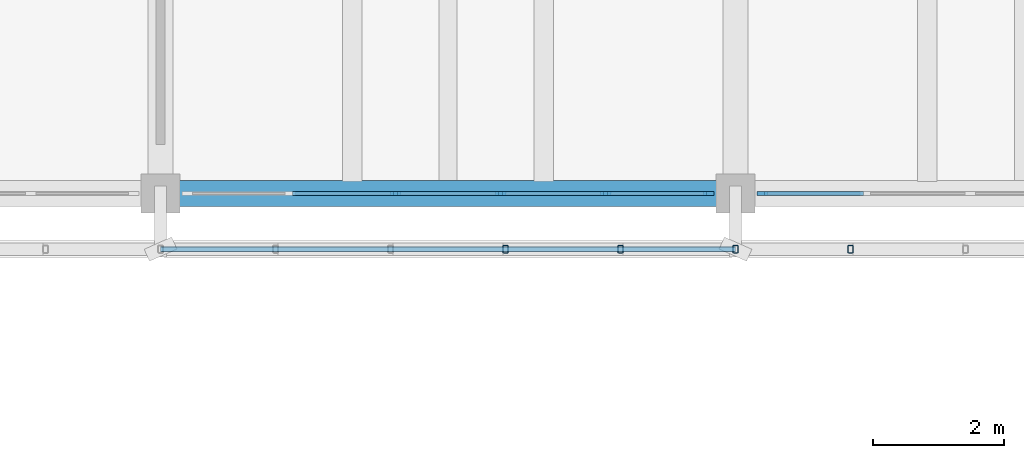
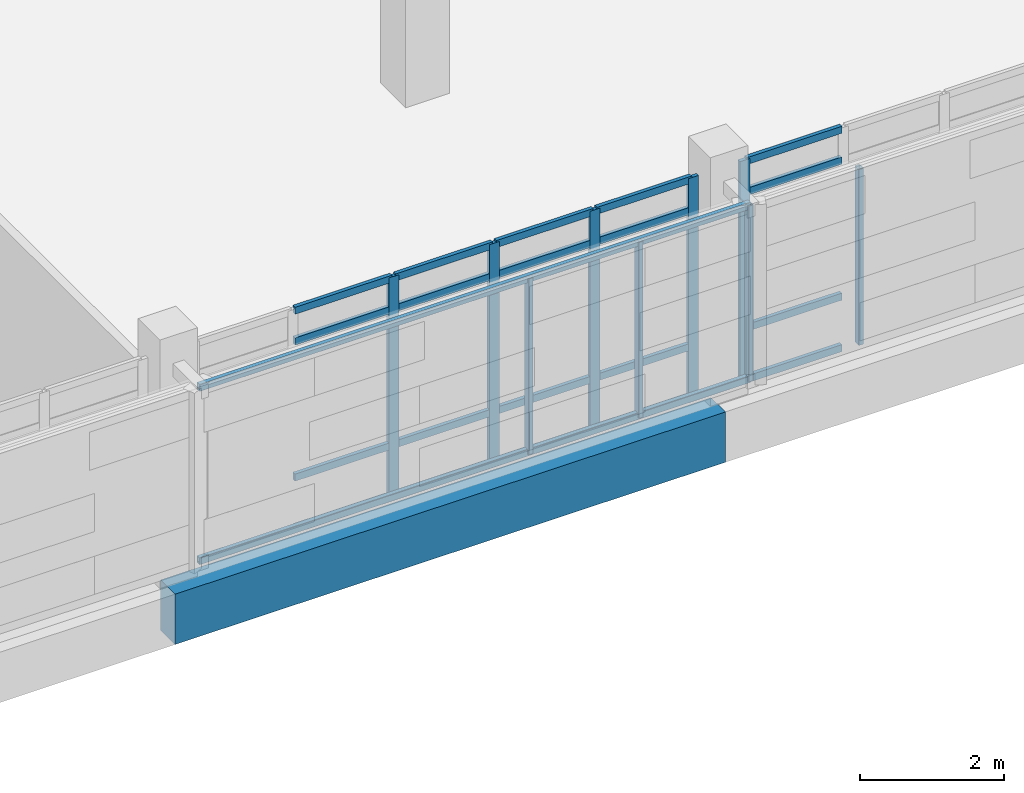
# One storey, part 57 of 137: 31 members, 1 beam, 2 elements without a shape of their own.
"""IFC4 building model written with IfcOpenShell, lengths in metres."""

from ifc_helpers import new_model, si_unit, direction, frame, origin, origin_2d, place, context, subcontext, project, spatial, rectangle, hollow_rectangle, extrude, material, material_profile, profile_set, type_object, element, aggregate, save


model = new_model("IFC4")

# Units and contexts
model_context = context("Model", 3, precision=1e-05, world=origin(), true_north=direction((0.0, 1.0)))
body_context = subcontext(model_context, "Body", "Model", "MODEL_VIEW")
ifc_project = project(units=[si_unit("LENGTHUNIT", "METRE"), si_unit("AREAUNIT", "SQUARE_METRE"), si_unit("VOLUMEUNIT", "CUBIC_METRE"), si_unit("PLANEANGLEUNIT", "RADIAN"), si_unit("MASSUNIT", "GRAM", prefix="KILO")], contexts=[model_context])

# Site, building, storey
site_placement = place(None, origin())
site = spatial("IfcSite", under=ifc_project, at=site_placement, CompositionType="ELEMENT")
building_placement = place(site_placement, origin())
building = spatial("IfcBuilding", under=site, at=building_placement, Name="Cinderway Yard Community Centre", CompositionType="ELEMENT")
storey_placement = place(building_placement, frame((0.0, 0.0, 4.800048828125)))
storey = spatial("IfcBuildingStorey", under=building, at=storey_placement, Name="L01", CompositionType="ELEMENT", Elevation=4.800048828125)

# Curtain wall, members
ifc_material_1 = material(Name="Aluminium 6063-T6", Category="aluminium")
curtain_wall_type = type_object("IfcCurtainWallType", Name="ENV-CW-TYPE-27", PredefinedType="USERDEFINED", material=ifc_material_1)
curtain_wall_1_placement = place(storey_placement, origin())
curtain_wall_1 = element("IfcCurtainWall", 1, at=curtain_wall_1_placement, inside=storey, type_object=curtain_wall_type, Name="V4 Courtyard Curtain Wall ENV-CW-L01-ST-0131", ObjectType="GLAZED CURTAIN WALL", PredefinedType="USERDEFINED")
ifc_material_profile_1 = material_profile(ifc_material_1, rectangle(XDim=0.06005859375, YDim=0.159912109375, at=origin_2d()), Name="Aluminium 6063-T6")
ifc_profile_set_1 = profile_set([ifc_material_profile_1], Name="Aluminium 6063-T6")
member_type_1 = type_object("IfcMemberType", Name="ENV-CW-MULL-150", PredefinedType="MULLION", material=ifc_profile_set_1)
member_1_placement = place(storey_placement, frame((96.39599609375, 90.0, 0.0), z_axis=(0.0, 0.0, 1.0), x_axis=(0.0, 1.0, 0.0)))
member_1 = element("IfcMember", 2, at=member_1_placement, type_object=member_type_1, Name="CW-27 mullion 3", PredefinedType="MULLION", context=body_context, shape_type="SweptSolid", body=[
    extrude(rectangle(XDim=0.06005859375, YDim=0.159912109375, at=origin_2d()), origin(), (0.0, 0.0, 1.0), 3.75),
])
member_2_placement = place(storey_placement, frame((98.00390625, 90.0, 0.0), z_axis=(0.0, 0.0, 1.0), x_axis=(0.0, 1.0, 0.0)))
member_2 = element("IfcMember", 3, at=member_2_placement, type_object=member_type_1, Name="CW-27 mullion 4", PredefinedType="MULLION", context=body_context, shape_type="SweptSolid", body=[
    extrude(rectangle(XDim=0.06005859375, YDim=0.159912109375, at=origin_2d()), origin(), (0.0, 0.0, 1.0), 3.75),
])
member_3_placement = place(storey_placement, frame((99.612060546875, 90.0, 0.0), z_axis=(0.0, 0.0, 1.0), x_axis=(0.0, 1.0, 0.0)))
member_3 = element("IfcMember", 4, at=member_3_placement, type_object=member_type_1, Name="CW-27 mullion 5", PredefinedType="MULLION", context=body_context, shape_type="SweptSolid", body=[
    extrude(rectangle(XDim=0.06005859375, YDim=0.159912109375, at=origin_2d()), origin(), (0.0, 0.0, 1.0), 3.75),
])
member_4_placement = place(storey_placement, frame((101.18994140625, 90.0, 0.0), z_axis=(0.0, 0.0, 1.0), x_axis=(0.0, 1.0, 0.0)))
member_4 = element("IfcMember", 5, at=member_4_placement, type_object=member_type_1, Name="CW-27 mullion 6", PredefinedType="MULLION", context=body_context, shape_type="SweptSolid", body=[
    extrude(rectangle(XDim=0.06005859375, YDim=0.159912109375, at=origin_2d()), origin(), (0.0, 0.0, 1.0), 3.75),
])

# Curtain wall, member
curtain_wall_2_placement = place(storey_placement, origin())
curtain_wall_2 = element("IfcCurtainWall", 6, at=curtain_wall_2_placement, inside=storey, type_object=curtain_wall_type, Name="V4 Courtyard Curtain Wall ENV-CW-L01-ST-0133", ObjectType="GLAZED CURTAIN WALL", PredefinedType="USERDEFINED")
member_5_placement = place(storey_placement, frame((102.010009765625, 90.0, 0.0), z_axis=(0.0, 0.0, 1.0), x_axis=(0.0, 1.0, 0.0)))
member_5 = element("IfcMember", 7, at=member_5_placement, type_object=member_type_1, Name="CW-27 mullion 1", PredefinedType="MULLION", context=body_context, shape_type="SweptSolid", body=[
    extrude(rectangle(XDim=0.06005859375, YDim=0.159912109375, at=origin_2d()), origin(), (0.0, 0.0, 1.0), 3.75),
])

# Member
ifc_material_profile_2 = material_profile(ifc_material_1, rectangle(XDim=0.06005859375, YDim=0.1201171875, at=origin_2d()), Name="Aluminium 6063-T6")
ifc_profile_set_2 = profile_set([ifc_material_profile_2], Name="Aluminium 6063-T6")
member_type_2 = type_object("IfcMemberType", Name="ENV-CW-TRAN-110", PredefinedType="USERDEFINED", material=ifc_profile_set_2)
member_6_placement = place(storey_placement, frame((94.818115234375, 90.0, 0.030029296875), z_axis=(1.0, 0.0, 0.0), x_axis=(0.0, 1.0, 0.0)))
member_6 = element("IfcMember", 8, at=member_6_placement, type_object=member_type_2, Name="CW-27 transom 2.1", ObjectType="TRANSOM", PredefinedType="USERDEFINED", context=body_context, shape_type="SweptSolid", body=[
    extrude(rectangle(XDim=0.06005859375, YDim=0.1201171875, at=origin_2d()), origin(), (0.0, 0.0, 1.0), 1.5478515625),
])

member_7_placement = place(storey_placement, frame((94.818115234375, 90.0, 0.89990234375), z_axis=(1.0, 0.0, 0.0), x_axis=(0.0, 1.0, 0.0)))
member_7 = element("IfcMember", 9, at=member_7_placement, type_object=member_type_2, Name="CW-27 transom 2.2", ObjectType="TRANSOM", PredefinedType="USERDEFINED", context=body_context, shape_type="SweptSolid", body=[
    extrude(rectangle(XDim=0.06005859375, YDim=0.1201171875, at=origin_2d()), origin(), (0.0, 0.0, 1.0), 1.5478515625),
])

member_8_placement = place(storey_placement, frame((94.818115234375, 90.0, 3.199951171875), z_axis=(1.0, 0.0, 0.0), x_axis=(0.0, 1.0, 0.0)))
member_8 = element("IfcMember", 10, at=member_8_placement, type_object=member_type_2, Name="CW-27 transom 2.3", ObjectType="TRANSOM", PredefinedType="USERDEFINED", context=body_context, shape_type="SweptSolid", body=[
    extrude(rectangle(XDim=0.06005859375, YDim=0.1201171875, at=origin_2d()), origin(), (0.0, 0.0, 1.0), 1.5478515625),
])

member_9_placement = place(storey_placement, frame((94.818115234375, 90.0, 3.719970703125), z_axis=(1.0, 0.0, 0.0), x_axis=(0.0, 1.0, 0.0)))
member_9 = element("IfcMember", 11, at=member_9_placement, type_object=member_type_2, Name="CW-27 transom 2.4", ObjectType="TRANSOM", PredefinedType="USERDEFINED", context=body_context, shape_type="SweptSolid", body=[
    extrude(rectangle(XDim=0.06005859375, YDim=0.1201171875, at=origin_2d()), origin(), (0.0, 0.0, 1.0), 1.5478515625),
])

member_10_placement = place(storey_placement, frame((96.426025390625, 90.0, 0.030029296875), z_axis=(1.0, 0.0, 0.0), x_axis=(0.0, 1.0, 0.0)))
member_10 = element("IfcMember", 12, at=member_10_placement, type_object=member_type_2, Name="CW-27 transom 3.1", ObjectType="TRANSOM", PredefinedType="USERDEFINED", context=body_context, shape_type="SweptSolid", body=[
    extrude(rectangle(XDim=0.06005859375, YDim=0.1201171875, at=origin_2d()), origin(), (0.0, 0.0, 1.0), 1.548095703125),
])

member_11_placement = place(storey_placement, frame((96.426025390625, 90.0, 0.89990234375), z_axis=(1.0, 0.0, 0.0), x_axis=(0.0, 1.0, 0.0)))
member_11 = element("IfcMember", 13, at=member_11_placement, type_object=member_type_2, Name="CW-27 transom 3.2", ObjectType="TRANSOM", PredefinedType="USERDEFINED", context=body_context, shape_type="SweptSolid", body=[
    extrude(rectangle(XDim=0.06005859375, YDim=0.1201171875, at=origin_2d()), origin(), (0.0, 0.0, 1.0), 1.548095703125),
])

member_12_placement = place(storey_placement, frame((96.426025390625, 90.0, 3.199951171875), z_axis=(1.0, 0.0, 0.0), x_axis=(0.0, 1.0, 0.0)))
member_12 = element("IfcMember", 14, at=member_12_placement, type_object=member_type_2, Name="CW-27 transom 3.3", ObjectType="TRANSOM", PredefinedType="USERDEFINED", context=body_context, shape_type="SweptSolid", body=[
    extrude(rectangle(XDim=0.06005859375, YDim=0.1201171875, at=origin_2d()), origin(), (0.0, 0.0, 1.0), 1.548095703125),
])

member_13_placement = place(storey_placement, frame((96.426025390625, 90.0, 3.719970703125), z_axis=(1.0, 0.0, 0.0), x_axis=(0.0, 1.0, 0.0)))
member_13 = element("IfcMember", 15, at=member_13_placement, type_object=member_type_2, Name="CW-27 transom 3.4", ObjectType="TRANSOM", PredefinedType="USERDEFINED", context=body_context, shape_type="SweptSolid", body=[
    extrude(rectangle(XDim=0.06005859375, YDim=0.1201171875, at=origin_2d()), origin(), (0.0, 0.0, 1.0), 1.548095703125),
])

member_14_placement = place(storey_placement, frame((98.033935546875, 90.0, 0.030029296875), z_axis=(1.0, 0.0, 0.0), x_axis=(0.0, 1.0, 0.0)))
member_14 = element("IfcMember", 16, at=member_14_placement, type_object=member_type_2, Name="CW-27 transom 4.1", ObjectType="TRANSOM", PredefinedType="USERDEFINED", context=body_context, shape_type="SweptSolid", body=[
    extrude(rectangle(XDim=0.06005859375, YDim=0.1201171875, at=origin_2d()), origin(), (0.0, 0.0, 1.0), 1.548095703125),
])

member_15_placement = place(storey_placement, frame((98.033935546875, 90.0, 0.89990234375), z_axis=(1.0, 0.0, 0.0), x_axis=(0.0, 1.0, 0.0)))
member_15 = element("IfcMember", 17, at=member_15_placement, type_object=member_type_2, Name="CW-27 transom 4.2", ObjectType="TRANSOM", PredefinedType="USERDEFINED", context=body_context, shape_type="SweptSolid", body=[
    extrude(rectangle(XDim=0.06005859375, YDim=0.1201171875, at=origin_2d()), origin(), (0.0, 0.0, 1.0), 1.548095703125),
])

member_16_placement = place(storey_placement, frame((98.033935546875, 90.0, 3.199951171875), z_axis=(1.0, 0.0, 0.0), x_axis=(0.0, 1.0, 0.0)))
member_16 = element("IfcMember", 18, at=member_16_placement, type_object=member_type_2, Name="CW-27 transom 4.3", ObjectType="TRANSOM", PredefinedType="USERDEFINED", context=body_context, shape_type="SweptSolid", body=[
    extrude(rectangle(XDim=0.06005859375, YDim=0.1201171875, at=origin_2d()), origin(), (0.0, 0.0, 1.0), 1.548095703125),
])

member_17_placement = place(storey_placement, frame((98.033935546875, 90.0, 3.719970703125), z_axis=(1.0, 0.0, 0.0), x_axis=(0.0, 1.0, 0.0)))
member_17 = element("IfcMember", 19, at=member_17_placement, type_object=member_type_2, Name="CW-27 transom 4.4", ObjectType="TRANSOM", PredefinedType="USERDEFINED", context=body_context, shape_type="SweptSolid", body=[
    extrude(rectangle(XDim=0.06005859375, YDim=0.1201171875, at=origin_2d()), origin(), (0.0, 0.0, 1.0), 1.548095703125),
])

member_18_placement = place(storey_placement, frame((99.64208984375, 90.0, 0.030029296875), z_axis=(1.0, 0.0, 0.0), x_axis=(0.0, 1.0, 0.0)))
member_18 = element("IfcMember", 20, at=member_18_placement, type_object=member_type_2, Name="CW-27 transom 5.1", ObjectType="TRANSOM", PredefinedType="USERDEFINED", context=body_context, shape_type="SweptSolid", body=[
    extrude(rectangle(XDim=0.06005859375, YDim=0.1201171875, at=origin_2d()), origin(), (0.0, 0.0, 1.0), 1.517822265625),
])

member_19_placement = place(storey_placement, frame((99.64208984375, 90.0, 0.89990234375), z_axis=(1.0, 0.0, 0.0), x_axis=(0.0, 1.0, 0.0)))
member_19 = element("IfcMember", 21, at=member_19_placement, type_object=member_type_2, Name="CW-27 transom 5.2", ObjectType="TRANSOM", PredefinedType="USERDEFINED", context=body_context, shape_type="SweptSolid", body=[
    extrude(rectangle(XDim=0.06005859375, YDim=0.1201171875, at=origin_2d()), origin(), (0.0, 0.0, 1.0), 1.517822265625),
])

member_20_placement = place(storey_placement, frame((99.64208984375, 90.0, 3.199951171875), z_axis=(1.0, 0.0, 0.0), x_axis=(0.0, 1.0, 0.0)))
member_20 = element("IfcMember", 22, at=member_20_placement, type_object=member_type_2, Name="CW-27 transom 5.3", ObjectType="TRANSOM", PredefinedType="USERDEFINED", context=body_context, shape_type="SweptSolid", body=[
    extrude(rectangle(XDim=0.06005859375, YDim=0.1201171875, at=origin_2d()), origin(), (0.0, 0.0, 1.0), 1.517822265625),
])

member_21_placement = place(storey_placement, frame((99.64208984375, 90.0, 3.719970703125), z_axis=(1.0, 0.0, 0.0), x_axis=(0.0, 1.0, 0.0)))
member_21 = element("IfcMember", 23, at=member_21_placement, type_object=member_type_2, Name="CW-27 transom 5.4", ObjectType="TRANSOM", PredefinedType="USERDEFINED", context=body_context, shape_type="SweptSolid", body=[
    extrude(rectangle(XDim=0.06005859375, YDim=0.1201171875, at=origin_2d()), origin(), (0.0, 0.0, 1.0), 1.517822265625),
])

aggregate(curtain_wall_1, [member_1, member_2, member_3, member_4, member_6, member_7, member_8, member_9, member_10, member_11, member_12, member_13, member_14, member_15, member_16, member_17, member_18, member_19, member_20, member_21])

member_22_placement = place(storey_placement, frame((102.0400390625, 90.0, 0.030029296875), z_axis=(1.0, 0.0, 0.0), x_axis=(0.0, 1.0, 0.0)))
member_22 = element("IfcMember", 24, at=member_22_placement, type_object=member_type_2, Name="CW-27 transom 1.1", ObjectType="TRANSOM", PredefinedType="USERDEFINED", context=body_context, shape_type="SweptSolid", body=[
    extrude(rectangle(XDim=0.06005859375, YDim=0.1201171875, at=origin_2d()), origin(), (0.0, 0.0, 1.0), 1.51806640625),
])

member_23_placement = place(storey_placement, frame((102.0400390625, 90.0, 0.89990234375), z_axis=(1.0, 0.0, 0.0), x_axis=(0.0, 1.0, 0.0)))
member_23 = element("IfcMember", 25, at=member_23_placement, type_object=member_type_2, Name="CW-27 transom 1.2", ObjectType="TRANSOM", PredefinedType="USERDEFINED", context=body_context, shape_type="SweptSolid", body=[
    extrude(rectangle(XDim=0.06005859375, YDim=0.1201171875, at=origin_2d()), origin(), (0.0, 0.0, 1.0), 1.51806640625),
])

member_24_placement = place(storey_placement, frame((102.0400390625, 90.0, 3.199951171875), z_axis=(1.0, 0.0, 0.0), x_axis=(0.0, 1.0, 0.0)))
member_24 = element("IfcMember", 26, at=member_24_placement, type_object=member_type_2, Name="CW-27 transom 1.3", ObjectType="TRANSOM", PredefinedType="USERDEFINED", context=body_context, shape_type="SweptSolid", body=[
    extrude(rectangle(XDim=0.06005859375, YDim=0.1201171875, at=origin_2d()), origin(), (0.0, 0.0, 1.0), 1.51806640625),
])

member_25_placement = place(storey_placement, frame((102.0400390625, 90.0, 3.719970703125), z_axis=(1.0, 0.0, 0.0), x_axis=(0.0, 1.0, 0.0)))
member_25 = element("IfcMember", 27, at=member_25_placement, type_object=member_type_2, Name="CW-27 transom 1.4", ObjectType="TRANSOM", PredefinedType="USERDEFINED", context=body_context, shape_type="SweptSolid", body=[
    extrude(rectangle(XDim=0.06005859375, YDim=0.1201171875, at=origin_2d()), origin(), (0.0, 0.0, 1.0), 1.51806640625),
])

aggregate(curtain_wall_2, [member_5, member_22, member_23, member_24, member_25])

# Members
ifc_material_2 = material(Name="Steel S355", Category="steel")
ifc_material_profile_3 = material_profile(ifc_material_2, hollow_rectangle(XDim=0.080078125, YDim=0.1201171875, WallThickness=0.00634765625, InnerFilletRadius=0.00634765625, OuterFilletRadius=0.0126953125, at=origin_2d()), Name="Steel S355")
ifc_profile_set_3 = profile_set([ifc_material_profile_3], Name="Steel S355")
member_type_3 = type_object("IfcMemberType", Name="ENV-MEM-SCREEN-RAIL-120", PredefinedType="STRINGER", material=ifc_profile_set_3)
for number, where, z_axis, x_axis, name in (
    (28, (92.800048828125, 89.14990234375, 0.7099609375), (1.0, 0.0, 0.0), (0.0, 1.0, 0.0), "Screen support rail 0366-BOT"),
    (29, (92.800048828125, 89.14990234375, 3.639892578125), (1.0, 0.0, 0.0), (0.0, 1.0, 0.0), "Screen support rail 0367-TOP"),
):
    element("IfcMember", number, at=place(storey_placement, frame(where, z_axis=z_axis, x_axis=x_axis)), inside=storey, type_object=member_type_3, Name=name, PredefinedType="STRINGER", context=body_context, shape_type="SweptSolid", body=[
        extrude(hollow_rectangle(XDim=0.080078125, YDim=0.1201171875, WallThickness=0.00634765625, InnerFilletRadius=0.00634765625, OuterFilletRadius=0.0126953125, at=origin_2d()), origin(), (0.0, 0.0, 1.0), 8.800048828125),
    ])
for number, where, z_axis, x_axis, name in (
    (30, (98.080078125, 89.14990234375, 0.68994140625), (0.0, 0.0, 1.0), (1.0, 0.0, 0.0), "Screen vertical mullion 0370"),
    (31, (99.840087890625, 89.14990234375, 0.68994140625), (0.0, 0.0, 1.0), (1.0, 0.0, 0.0), "Screen vertical mullion 0371"),
    (32, (101.60009765625, 89.14990234375, 0.68994140625), (0.0, 0.0, 1.0), (1.0, 0.0, 0.0), "Screen vertical mullion 0372"),
    (33, (103.360107421875, 89.14990234375, 0.68994140625), (0.0, 0.0, 1.0), (1.0, 0.0, 0.0), "Screen vertical mullion 0376"),
):
    element("IfcMember", number, at=place(storey_placement, frame(where, z_axis=z_axis, x_axis=x_axis)), inside=storey, type_object=member_type_3, Name=name, PredefinedType="STRINGER", context=body_context, shape_type="SweptSolid", body=[
        extrude(hollow_rectangle(XDim=0.080078125, YDim=0.1201171875, WallThickness=0.00634765625, InnerFilletRadius=0.00634765625, OuterFilletRadius=0.0126953125, at=origin_2d()), origin(), (0.0, 0.0, 1.0), 2.969970703125),
    ])

# Beam
ifc_material_3 = material(Name="Concrete C40/50", Category="concrete")
ifc_material_profile_4 = material_profile(ifc_material_3, rectangle(XDim=0.39990234375, YDim=0.85009765625, at=origin_2d()), Name="Concrete C40/50")
ifc_profile_set_4 = profile_set([ifc_material_profile_4], Name="Concrete C40/50")
beam_type = type_object("IfcBeamType", Name="STR-BM-RC400X850", PredefinedType="BEAM", material=ifc_profile_set_4)
beam_placement = place(storey_placement, frame((92.800048828125, 90.0, -0.68505859375), z_axis=(1.0, 0.0, 0.0), x_axis=(0.0, 1.0, 0.0)))
element("IfcBeam", 34, at=beam_placement, inside=storey, type_object=beam_type, Name="Primary girder STR-BM-L01-BG04-0178", PredefinedType="BEAM", context=body_context, shape_type="SweptSolid", body=[
    extrude(rectangle(XDim=0.39990234375, YDim=0.85009765625, at=origin_2d()), origin(), (0.0, 0.0, 1.0), 8.800048828125),
])

save(model, "model.ifc")
